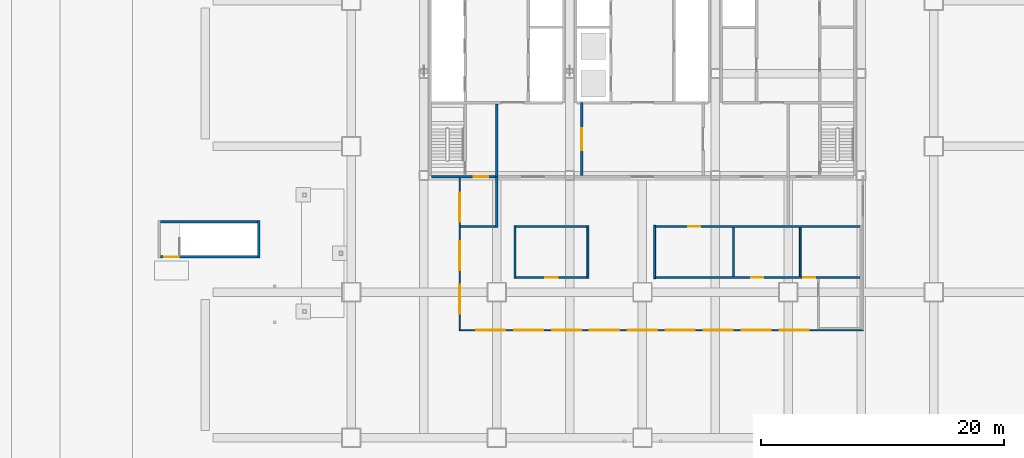
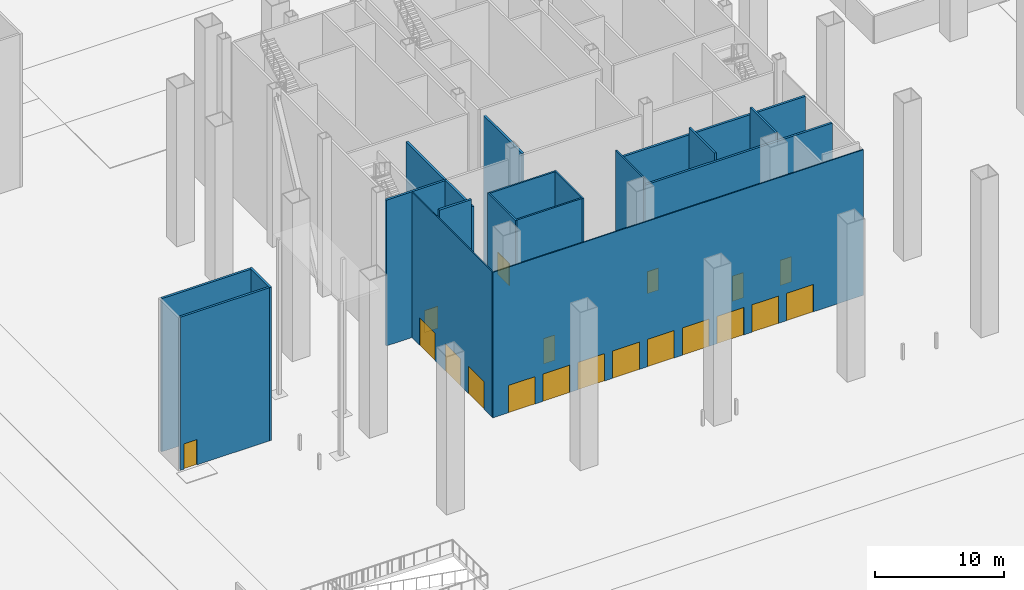
# One storey, part 6 of 22: 19 doors, 19 walls, 19 openings.
"""IFC4 building model written with IfcOpenShell, lengths in metres."""

from ifc_helpers import new_model, si_unit, direction, frame, frame_2d, origin, place, context, subcontext, project, spatial, rectangle, extrude, material, layer, layer_set, type_object, element, fill, save


model = new_model("IFC4")

# Units and contexts
model_context = context("Model", 3, precision=1e-05, world=origin(), true_north=direction((0.0, 1.0)))
body_context = subcontext(model_context, "Body", "Model", "MODEL_VIEW")
ifc_project = project(units=[si_unit("LENGTHUNIT", "METRE"), si_unit("AREAUNIT", "SQUARE_METRE"), si_unit("VOLUMEUNIT", "CUBIC_METRE"), si_unit("PLANEANGLEUNIT", "RADIAN"), si_unit("MASSUNIT", "GRAM", prefix="KILO")], contexts=[model_context])

# Site, building, storey
site_placement = place(None, origin())
site = spatial("IfcSite", under=ifc_project, at=site_placement, CompositionType="ELEMENT")
building_placement = place(site_placement, origin())
building = spatial("IfcBuilding", under=site, at=building_placement, Name="Sorahane Residences", CompositionType="ELEMENT")
storey_placement = place(building_placement, origin())
storey = spatial("IfcBuildingStorey", under=building, at=storey_placement, Name="L00", CompositionType="ELEMENT", Elevation=0.0)

# Walls
ifc_material_1 = material(Name="Concrete blockwork C20 wall", Category="masonry")
ifc_layer_1 = layer(ifc_material_1, 0.199951171875)
ifc_layer_set_1 = layer_set([ifc_layer_1], Name="Fire wall 200 EI 120")
wall_type_1 = type_object("IfcWallType", Name="Fire wall 200 EI 120", PredefinedType="SOLIDWALL", material=ifc_layer_set_1)
wall_1_placement = place(storey_placement, frame((-7.60009765625, 14.800048828125, 0.0), z_axis=(0.0, 0.0, 1.0), x_axis=(0.0, 1.0, 0.0)))
element("IfcWall", 1, at=wall_1_placement, inside=storey, type_object=wall_type_1, Name="L00 fire wall", PredefinedType="SOLIDWALL", context=body_context, shape_type="SweptSolid", body=[
    extrude(rectangle(XDim=3.099853515625, YDim=0.199951171875, at=frame_2d((1.5498046875, 0.0))), origin(), (0.0, 0.0, 1.0), 14.550048828125),
])
wall_2_placement = place(storey_placement, frame((12.0, 17.300048828125, 0.0), z_axis=(0.0, 0.0, 1.0), x_axis=(0.0, 1.0, 0.0)))
element("IfcWall", 2, at=wall_2_placement, inside=storey, type_object=wall_type_1, Name="L00 fire wall", PredefinedType="SOLIDWALL", context=body_context, shape_type="SweptSolid", body=[
    extrude(rectangle(XDim=4.199951171875, YDim=0.199951171875, at=frame_2d((2.10009765625, 0.0))), origin(), (0.0, 0.0, 1.0), 13.85009765625),
])

# Wall, openings, doors
wall_3_placement = place(storey_placement, frame((25.074951171875, 13.199951171875, 0.0), z_axis=(0.0, 0.0, 1.0), x_axis=(1.0, 0.0, 0.0)))
wall_3 = element("IfcWall", 3, at=wall_3_placement, inside=storey, type_object=wall_type_1, Name="L00 fire wall", PredefinedType="SOLIDWALL", context=body_context, shape_type="SweptSolid", body=[
    extrude(rectangle(XDim=16.824951171875, YDim=0.199951171875, at=frame_2d((8.41259765625, 0.0))), origin(), (0.0, 0.0, 1.0), 13.85009765625),
])
opening_1_placement = place(wall_3_placement, frame((12.175048828125, 0.0, 0.0)))
opening_1 = element("IfcOpeningElement", 4, at=opening_1_placement, cuts=wall_3, Name="Opening L00-04", PredefinedType="OPENING", context=body_context, shape_type="SweptSolid", body=[
    extrude(rectangle(XDim=1.0, YDim=2.39990234375, at=frame_2d((0.5, 1.199951171875))), frame((0.0, 0.10986328125, 0.0), z_axis=(0.0, -1.0, 0.0), x_axis=(1.0, 0.0, 0.0)), (0.0, 0.0, 1.0), 0.219970703125),
])
opening_2_placement = place(wall_3_placement, frame((7.875, 0.0, 0.0)))
opening_2 = element("IfcOpeningElement", 5, at=opening_2_placement, cuts=wall_3, Name="Opening L00-05", PredefinedType="OPENING", context=body_context, shape_type="SweptSolid", body=[
    extrude(rectangle(XDim=1.0, YDim=2.39990234375, at=frame_2d((0.5, 1.199951171875))), frame((0.0, 0.10986328125, 0.0), z_axis=(0.0, -1.0, 0.0), x_axis=(1.0, 0.0, 0.0)), (0.0, 0.0, 1.0), 0.219970703125),
])
ifc_material_2 = material(Name="Timber veneered fire door", Category="wood")
door_type_1 = type_object("IfcDoorType", Name="Room door 1000x2400 FD30", OperationType="NOTDEFINED", PredefinedType="DOOR", material=ifc_material_2)
door_1_placement = place(opening_1_placement, frame((1.0, 0.0, 0.0), z_axis=(0.0, 0.0, 1.0), x_axis=(-1.0, 0.0, 0.0)))
door_1 = element("IfcDoor", 6, at=door_1_placement, inside=storey, type_object=door_type_1, Name="Room door L00-04", OperationType="SINGLE_SWING_LEFT", OverallHeight=2.39990234375, OverallWidth=1.0, PredefinedType="DOOR", context=body_context, shape_type="SweptSolid", body=[
    extrude(rectangle(XDim=1.0, YDim=2.39990234375, at=frame_2d((0.5, 1.199951171875))), frame((0.0, 0.02490234375, 0.0), z_axis=(0.0, -1.0, 0.0), x_axis=(1.0, 0.0, 0.0)), (0.0, 0.0, 1.0), 0.050048828125),
])
fill(opening_1, door_1)
door_2_placement = place(opening_2_placement, origin())
door_2 = element("IfcDoor", 7, at=door_2_placement, inside=storey, type_object=door_type_1, Name="Room door L00-05", OperationType="SINGLE_SWING_LEFT", OverallHeight=2.39990234375, OverallWidth=1.0, PredefinedType="DOOR", context=body_context, shape_type="SweptSolid", body=[
    extrude(rectangle(XDim=1.0, YDim=2.39990234375, at=frame_2d((0.5, 1.199951171875))), frame((0.0, 0.02490234375, 0.0), z_axis=(0.0, -1.0, 0.0), x_axis=(1.0, 0.0, 0.0)), (0.0, 0.0, 1.0), 0.050048828125),
])
fill(opening_2, door_2)

# Wall, opening, door
wall_4_placement = place(storey_placement, frame((-15.699951171875, 14.89990234375, 0.0), z_axis=(0.0, 0.0, 1.0), x_axis=(1.0, 0.0, 0.0)))
wall_4 = element("IfcWall", 8, at=wall_4_placement, inside=storey, type_object=wall_type_1, Name="L00 fire wall", PredefinedType="SOLIDWALL", context=body_context, shape_type="SweptSolid", body=[
    extrude(rectangle(XDim=8.0, YDim=0.199951171875, at=frame_2d((4.0, 0.0))), origin(), (0.0, 0.0, 1.0), 14.550048828125),
])
opening_3_placement = place(wall_4_placement, frame((0.300048828125, 0.0, 0.0)))
opening_3 = element("IfcOpeningElement", 9, at=opening_3_placement, cuts=wall_4, Name="Opening L00-08", PredefinedType="OPENING", context=body_context, shape_type="SweptSolid", body=[
    extrude(rectangle(XDim=1.199951171875, YDim=2.39990234375, at=frame_2d((0.60009765625, 1.199951171875))), frame((0.0, 0.10986328125, 0.0), z_axis=(0.0, -1.0, 0.0), x_axis=(1.0, 0.0, 0.0)), (0.0, 0.0, 1.0), 0.219970703125),
])
ifc_material_3 = material(Name="Steel", Category="steel")
door_type_2 = type_object("IfcDoorType", Name="Stair door 1200x2400 FD60", OperationType="NOTDEFINED", PredefinedType="DOOR", material=ifc_material_3)
door_3_placement = place(opening_3_placement, frame((1.199951171875, 0.0, 0.0), z_axis=(0.0, 0.0, 1.0), x_axis=(-1.0, 0.0, 0.0)))
door_3 = element("IfcDoor", 10, at=door_3_placement, inside=storey, type_object=door_type_2, Name="Stair door L00-08", OperationType="SINGLE_SWING_LEFT", OverallHeight=2.39990234375, OverallWidth=1.199951171875, PredefinedType="DOOR", context=body_context, shape_type="SweptSolid", body=[
    extrude(rectangle(XDim=1.199951171875, YDim=2.39990234375, at=frame_2d((0.60009765625, 1.199951171875))), frame((0.0, 0.02490234375, 0.0), z_axis=(0.0, -1.0, 0.0), x_axis=(1.0, 0.0, 0.0)), (0.0, 0.0, 1.0), 0.050048828125),
])
fill(opening_3, door_3)

# Wall
wall_5_placement = place(storey_placement, frame((9.0, 17.39990234375, 0.0), z_axis=(0.0, 0.0, 1.0), x_axis=(1.0, 0.0, 0.0)))
element("IfcWall", 11, at=wall_5_placement, inside=storey, type_object=wall_type_1, Name="L00 fire wall", PredefinedType="SOLIDWALL", context=body_context, shape_type="SweptSolid", body=[
    extrude(rectangle(XDim=2.89990234375, YDim=0.199951171875, at=frame_2d((1.449951171875, 0.0))), origin(), (0.0, 0.0, 1.0), 14.550048828125),
])

# Wall, opening, door
wall_6_placement = place(storey_placement, frame((25.074951171875, 17.39990234375, 0.0), z_axis=(0.0, 0.0, 1.0), x_axis=(1.0, 0.0, 0.0)))
wall_6 = element("IfcWall", 12, at=wall_6_placement, inside=storey, type_object=wall_type_1, Name="L00 fire wall", PredefinedType="SOLIDWALL", context=body_context, shape_type="SweptSolid", body=[
    extrude(rectangle(XDim=16.824951171875, YDim=0.199951171875, at=frame_2d((8.41259765625, 0.0))), origin(), (0.0, 0.0, 1.0), 13.85009765625),
])
opening_4_placement = place(wall_6_placement, frame((2.675048828125, 0.0, 0.0)))
opening_4 = element("IfcOpeningElement", 13, at=opening_4_placement, cuts=wall_6, Name="Opening L00-03", PredefinedType="OPENING", context=body_context, shape_type="SweptSolid", body=[
    extrude(rectangle(XDim=1.0, YDim=2.10009765625, at=frame_2d((0.5, 1.050048828125))), frame((0.0, 0.10986328125, 0.0), z_axis=(0.0, -1.0, 0.0), x_axis=(1.0, 0.0, 0.0)), (0.0, 0.0, 1.0), 0.219970703125),
])
ifc_material_4 = material(Name="Timber veneered fire door", Category="wood")
door_type_3 = type_object("IfcDoorType", Name="Service door 1000x2100 FD30", OperationType="NOTDEFINED", PredefinedType="DOOR", material=ifc_material_4)
door_4_placement = place(opening_4_placement, frame((1.0, 0.0, 0.0), z_axis=(0.0, 0.0, 1.0), x_axis=(-1.0, 0.0, 0.0)))
door_4 = element("IfcDoor", 14, at=door_4_placement, inside=storey, type_object=door_type_3, Name="Service door L00-03", OperationType="SINGLE_SWING_RIGHT", OverallHeight=2.10009765625, OverallWidth=1.0, PredefinedType="DOOR", context=body_context, shape_type="SweptSolid", body=[
    extrude(rectangle(XDim=1.0, YDim=2.10009765625, at=frame_2d((0.5, 1.050048828125))), frame((0.0, 0.02490234375, 0.0), z_axis=(0.0, -1.0, 0.0), x_axis=(1.0, 0.0, 0.0)), (0.0, 0.0, 1.0), 0.050048828125),
])
fill(opening_4, door_4)

# Wall
wall_7_placement = place(storey_placement, frame((-15.699951171875, 17.800048828125, 0.0), z_axis=(0.0, 0.0, 1.0), x_axis=(1.0, 0.0, 0.0)))
element("IfcWall", 15, at=wall_7_placement, inside=storey, type_object=wall_type_1, Name="L00 fire wall", PredefinedType="SOLIDWALL", context=body_context, shape_type="SweptSolid", body=[
    extrude(rectangle(XDim=8.0, YDim=0.199951171875, at=frame_2d((4.0, 0.0))), origin(), (0.0, 0.0, 1.0), 14.550048828125),
])

# Wall, openings, doors
ifc_material_5 = material(Name="Toughened low-iron glass", Category="glass")
ifc_layer_2 = layer(ifc_material_5, 0.10009765625)
ifc_layer_set_2 = layer_set([ifc_layer_2], Name="Frameless glazed screen toughened low-iron glass 100")
wall_type_2 = type_object("IfcWallType", Name="Frameless glazed screen toughened low-iron glass 100", PredefinedType="SOLIDWALL", material=ifc_layer_set_2)
wall_8_placement = place(storey_placement, frame((8.949951171875, 21.60009765625, 0.0), z_axis=(0.0, 0.0, 1.0), x_axis=(0.0, -1.0, 0.0)))
wall_8 = element("IfcWall", 16, at=wall_8_placement, inside=storey, type_object=wall_type_2, Name="Frameless glazed screen L00.3", PredefinedType="SOLIDWALL", context=body_context, shape_type="SweptSolid", body=[
    extrude(rectangle(XDim=12.7001953125, YDim=0.10009765625, at=frame_2d((6.35009765625, 0.0))), origin(), (0.0, 0.0, 1.0), 13.830078125),
])
opening_5_placement = place(wall_8_placement, frame((9.0, 0.0, 0.0)))
opening_5 = element("IfcOpeningElement", 17, at=opening_5_placement, cuts=wall_8, Name="Opening L00-E2", PredefinedType="OPENING", context=body_context, shape_type="SweptSolid", body=[
    extrude(rectangle(XDim=2.39990234375, YDim=2.60009765625, at=frame_2d((1.199951171875, 1.300048828125))), frame((0.0, 0.06005859375, 0.0), z_axis=(0.0, -1.0, 0.0), x_axis=(1.0, 0.0, 0.0)), (0.0, 0.0, 1.0), 0.1201171875),
])
opening_6_placement = place(wall_8_placement, frame((5.39990234375, 0.0, 0.0)))
opening_6 = element("IfcOpeningElement", 18, at=opening_6_placement, cuts=wall_8, Name="Opening L00-E3", PredefinedType="OPENING", context=body_context, shape_type="SweptSolid", body=[
    extrude(rectangle(XDim=2.39990234375, YDim=2.60009765625, at=frame_2d((1.199951171875, 1.300048828125))), frame((0.0, 0.06005859375, 0.0), z_axis=(0.0, -1.0, 0.0), x_axis=(1.0, 0.0, 0.0)), (0.0, 0.0, 1.0), 0.1201171875),
])
opening_7_placement = place(wall_8_placement, frame((1.39990234375, 0.0, 0.0)))
opening_7 = element("IfcOpeningElement", 19, at=opening_7_placement, cuts=wall_8, Name="Opening L00-E4", PredefinedType="OPENING", context=body_context, shape_type="SweptSolid", body=[
    extrude(rectangle(XDim=2.39990234375, YDim=2.60009765625, at=frame_2d((1.199951171875, 1.300048828125))), frame((0.0, 0.06005859375, 0.0), z_axis=(0.0, -1.0, 0.0), x_axis=(1.0, 0.0, 0.0)), (0.0, 0.0, 1.0), 0.1201171875),
])
ifc_material_6 = material(Name="Toughened low-iron glass", Category="glass")
door_type_4 = type_object("IfcDoorType", Name="Entrance door frameless glass double 2400x2600", OperationType="DOUBLE_DOOR_SINGLE_SWING", PredefinedType="DOOR", material=ifc_material_6)
door_5_placement = place(opening_5_placement, frame((2.39990234375, 0.0, 0.0), z_axis=(0.0, 0.0, 1.0), x_axis=(-1.0, 0.0, 0.0)))
door_5 = element("IfcDoor", 20, at=door_5_placement, inside=storey, type_object=door_type_4, Name="Entrance door L00-E2", OperationType="DOUBLE_DOOR_SINGLE_SWING", OverallHeight=2.60009765625, OverallWidth=2.39990234375, PredefinedType="DOOR", context=body_context, shape_type="SweptSolid", body=[
    extrude(rectangle(XDim=2.39990234375, YDim=2.60009765625, at=frame_2d((1.199951171875, 1.300048828125))), frame((0.0, 0.02490234375, 0.0), z_axis=(0.0, -1.0, 0.0), x_axis=(1.0, 0.0, 0.0)), (0.0, 0.0, 1.0), 0.050048828125),
])
fill(opening_5, door_5)
door_6_placement = place(opening_6_placement, frame((2.39990234375, 0.0, 0.0), z_axis=(0.0, 0.0, 1.0), x_axis=(-1.0, 0.0, 0.0)))
door_6 = element("IfcDoor", 21, at=door_6_placement, inside=storey, type_object=door_type_4, Name="Entrance door L00-E3", OperationType="DOUBLE_DOOR_SINGLE_SWING", OverallHeight=2.60009765625, OverallWidth=2.39990234375, PredefinedType="DOOR", context=body_context, shape_type="SweptSolid", body=[
    extrude(rectangle(XDim=2.39990234375, YDim=2.60009765625, at=frame_2d((1.199951171875, 1.300048828125))), frame((0.0, 0.02490234375, 0.0), z_axis=(0.0, -1.0, 0.0), x_axis=(1.0, 0.0, 0.0)), (0.0, 0.0, 1.0), 0.050048828125),
])
fill(opening_6, door_6)
door_7_placement = place(opening_7_placement, frame((2.39990234375, 0.0, 0.0), z_axis=(0.0, 0.0, 1.0), x_axis=(-1.0, 0.0, 0.0)))
door_7 = element("IfcDoor", 22, at=door_7_placement, inside=storey, type_object=door_type_4, Name="Entrance door L00-E4", OperationType="DOUBLE_DOOR_SINGLE_SWING", OverallHeight=2.60009765625, OverallWidth=2.39990234375, PredefinedType="DOOR", context=body_context, shape_type="SweptSolid", body=[
    extrude(rectangle(XDim=2.39990234375, YDim=2.60009765625, at=frame_2d((1.199951171875, 1.300048828125))), frame((0.0, 0.02490234375, 0.0), z_axis=(0.0, -1.0, 0.0), x_axis=(1.0, 0.0, 0.0)), (0.0, 0.0, 1.0), 0.050048828125),
])
fill(opening_7, door_7)

wall_9_placement = place(storey_placement, frame((8.89990234375, 8.85009765625, 0.0), z_axis=(0.0, 0.0, 1.0), x_axis=(1.0, 0.0, 0.0)))
wall_9 = element("IfcWall", 23, at=wall_9_placement, inside=storey, type_object=wall_type_2, Name="Frameless glazed screen L00.4", PredefinedType="SOLIDWALL", context=body_context, shape_type="SweptSolid", body=[
    extrude(rectangle(XDim=33.300048828125, YDim=0.10009765625, at=frame_2d((16.64990234375, 0.0))), origin(), (0.0, 0.0, 1.0), 13.830078125),
])
opening_8_placement = place(wall_9_placement, frame((1.39990234375, 0.0, 0.0)))
opening_8 = element("IfcOpeningElement", 24, at=opening_8_placement, cuts=wall_9, Name="Opening L00-E5", PredefinedType="OPENING", context=body_context, shape_type="SweptSolid", body=[
    extrude(rectangle(XDim=2.39990234375, YDim=2.60009765625, at=frame_2d((1.199951171875, 1.300048828125))), frame((0.0, 0.06005859375, 0.0), z_axis=(0.0, -1.0, 0.0), x_axis=(1.0, 0.0, 0.0)), (0.0, 0.0, 1.0), 0.1201171875),
])
opening_9_placement = place(wall_9_placement, frame((4.52490234375, 0.0, 0.0)))
opening_9 = element("IfcOpeningElement", 25, at=opening_9_placement, cuts=wall_9, Name="Opening L00-E6", PredefinedType="OPENING", context=body_context, shape_type="SweptSolid", body=[
    extrude(rectangle(XDim=2.39990234375, YDim=2.60009765625, at=frame_2d((1.199951171875, 1.300048828125))), frame((0.0, 0.06005859375, 0.0), z_axis=(0.0, -1.0, 0.0), x_axis=(1.0, 0.0, 0.0)), (0.0, 0.0, 1.0), 0.1201171875),
])
opening_10_placement = place(wall_9_placement, frame((7.64990234375, 0.0, 0.0)))
opening_10 = element("IfcOpeningElement", 26, at=opening_10_placement, cuts=wall_9, Name="Opening L00-E7", PredefinedType="OPENING", context=body_context, shape_type="SweptSolid", body=[
    extrude(rectangle(XDim=2.39990234375, YDim=2.60009765625, at=frame_2d((1.199951171875, 1.300048828125))), frame((0.0, 0.06005859375, 0.0), z_axis=(0.0, -1.0, 0.0), x_axis=(1.0, 0.0, 0.0)), (0.0, 0.0, 1.0), 0.1201171875),
])
opening_11_placement = place(wall_9_placement, frame((10.77490234375, 0.0, 0.0)))
opening_11 = element("IfcOpeningElement", 27, at=opening_11_placement, cuts=wall_9, Name="Opening L00-E8", PredefinedType="OPENING", context=body_context, shape_type="SweptSolid", body=[
    extrude(rectangle(XDim=2.39990234375, YDim=2.60009765625, at=frame_2d((1.199951171875, 1.300048828125))), frame((0.0, 0.06005859375, 0.0), z_axis=(0.0, -1.0, 0.0), x_axis=(1.0, 0.0, 0.0)), (0.0, 0.0, 1.0), 0.1201171875),
])
opening_12_placement = place(wall_9_placement, frame((13.89990234375, 0.0, 0.0)))
opening_12 = element("IfcOpeningElement", 28, at=opening_12_placement, cuts=wall_9, Name="Opening L00-E9", PredefinedType="OPENING", context=body_context, shape_type="SweptSolid", body=[
    extrude(rectangle(XDim=2.39990234375, YDim=2.60009765625, at=frame_2d((1.199951171875, 1.300048828125))), frame((0.0, 0.06005859375, 0.0), z_axis=(0.0, -1.0, 0.0), x_axis=(1.0, 0.0, 0.0)), (0.0, 0.0, 1.0), 0.1201171875),
])
opening_13_placement = place(wall_9_placement, frame((17.02490234375, 0.0, 0.0)))
opening_13 = element("IfcOpeningElement", 29, at=opening_13_placement, cuts=wall_9, Name="Opening L00-E10", PredefinedType="OPENING", context=body_context, shape_type="SweptSolid", body=[
    extrude(rectangle(XDim=2.39990234375, YDim=2.60009765625, at=frame_2d((1.199951171875, 1.300048828125))), frame((0.0, 0.06005859375, 0.0), z_axis=(0.0, -1.0, 0.0), x_axis=(1.0, 0.0, 0.0)), (0.0, 0.0, 1.0), 0.1201171875),
])
opening_14_placement = place(wall_9_placement, frame((20.14990234375, 0.0, 0.0)))
opening_14 = element("IfcOpeningElement", 30, at=opening_14_placement, cuts=wall_9, Name="Opening L00-E11", PredefinedType="OPENING", context=body_context, shape_type="SweptSolid", body=[
    extrude(rectangle(XDim=2.39990234375, YDim=2.60009765625, at=frame_2d((1.199951171875, 1.300048828125))), frame((0.0, 0.06005859375, 0.0), z_axis=(0.0, -1.0, 0.0), x_axis=(1.0, 0.0, 0.0)), (0.0, 0.0, 1.0), 0.1201171875),
])
opening_15_placement = place(wall_9_placement, frame((23.27490234375, 0.0, 0.0)))
opening_15 = element("IfcOpeningElement", 31, at=opening_15_placement, cuts=wall_9, Name="Opening L00-E12", PredefinedType="OPENING", context=body_context, shape_type="SweptSolid", body=[
    extrude(rectangle(XDim=2.39990234375, YDim=2.60009765625, at=frame_2d((1.199951171875, 1.300048828125))), frame((0.0, 0.06005859375, 0.0), z_axis=(0.0, -1.0, 0.0), x_axis=(1.0, 0.0, 0.0)), (0.0, 0.0, 1.0), 0.1201171875),
])
opening_16_placement = place(wall_9_placement, frame((26.39990234375, 0.0, 0.0)))
opening_16 = element("IfcOpeningElement", 32, at=opening_16_placement, cuts=wall_9, Name="Opening L00-E13", PredefinedType="OPENING", context=body_context, shape_type="SweptSolid", body=[
    extrude(rectangle(XDim=2.39990234375, YDim=2.60009765625, at=frame_2d((1.199951171875, 1.300048828125))), frame((0.0, 0.06005859375, 0.0), z_axis=(0.0, -1.0, 0.0), x_axis=(1.0, 0.0, 0.0)), (0.0, 0.0, 1.0), 0.1201171875),
])
door_8_placement = place(opening_8_placement, frame((2.39990234375, 0.0, 0.0), z_axis=(0.0, 0.0, 1.0), x_axis=(-1.0, 0.0, 0.0)))
door_8 = element("IfcDoor", 33, at=door_8_placement, inside=storey, type_object=door_type_4, Name="Entrance door L00-E5", OperationType="DOUBLE_DOOR_SINGLE_SWING", OverallHeight=2.60009765625, OverallWidth=2.39990234375, PredefinedType="DOOR", context=body_context, shape_type="SweptSolid", body=[
    extrude(rectangle(XDim=2.39990234375, YDim=2.60009765625, at=frame_2d((1.199951171875, 1.300048828125))), frame((0.0, 0.02490234375, 0.0), z_axis=(0.0, -1.0, 0.0), x_axis=(1.0, 0.0, 0.0)), (0.0, 0.0, 1.0), 0.050048828125),
])
fill(opening_8, door_8)
door_9_placement = place(opening_9_placement, frame((2.39990234375, 0.0, 0.0), z_axis=(0.0, 0.0, 1.0), x_axis=(-1.0, 0.0, 0.0)))
door_9 = element("IfcDoor", 34, at=door_9_placement, inside=storey, type_object=door_type_4, Name="Entrance door L00-E6", OperationType="DOUBLE_DOOR_SINGLE_SWING", OverallHeight=2.60009765625, OverallWidth=2.39990234375, PredefinedType="DOOR", context=body_context, shape_type="SweptSolid", body=[
    extrude(rectangle(XDim=2.39990234375, YDim=2.60009765625, at=frame_2d((1.199951171875, 1.300048828125))), frame((0.0, 0.02490234375, 0.0), z_axis=(0.0, -1.0, 0.0), x_axis=(1.0, 0.0, 0.0)), (0.0, 0.0, 1.0), 0.050048828125),
])
fill(opening_9, door_9)
door_10_placement = place(opening_10_placement, frame((2.39990234375, 0.0, 0.0), z_axis=(0.0, 0.0, 1.0), x_axis=(-1.0, 0.0, 0.0)))
door_10 = element("IfcDoor", 35, at=door_10_placement, inside=storey, type_object=door_type_4, Name="Entrance door L00-E7", OperationType="DOUBLE_DOOR_SINGLE_SWING", OverallHeight=2.60009765625, OverallWidth=2.39990234375, PredefinedType="DOOR", context=body_context, shape_type="SweptSolid", body=[
    extrude(rectangle(XDim=2.39990234375, YDim=2.60009765625, at=frame_2d((1.199951171875, 1.300048828125))), frame((0.0, 0.02490234375, 0.0), z_axis=(0.0, -1.0, 0.0), x_axis=(1.0, 0.0, 0.0)), (0.0, 0.0, 1.0), 0.050048828125),
])
fill(opening_10, door_10)
door_11_placement = place(opening_11_placement, frame((2.39990234375, 0.0, 0.0), z_axis=(0.0, 0.0, 1.0), x_axis=(-1.0, 0.0, 0.0)))
door_11 = element("IfcDoor", 36, at=door_11_placement, inside=storey, type_object=door_type_4, Name="Entrance door L00-E8", OperationType="DOUBLE_DOOR_SINGLE_SWING", OverallHeight=2.60009765625, OverallWidth=2.39990234375, PredefinedType="DOOR", context=body_context, shape_type="SweptSolid", body=[
    extrude(rectangle(XDim=2.39990234375, YDim=2.60009765625, at=frame_2d((1.199951171875, 1.300048828125))), frame((0.0, 0.02490234375, 0.0), z_axis=(0.0, -1.0, 0.0), x_axis=(1.0, 0.0, 0.0)), (0.0, 0.0, 1.0), 0.050048828125),
])
fill(opening_11, door_11)
door_12_placement = place(opening_12_placement, frame((2.39990234375, 0.0, 0.0), z_axis=(0.0, 0.0, 1.0), x_axis=(-1.0, 0.0, 0.0)))
door_12 = element("IfcDoor", 37, at=door_12_placement, inside=storey, type_object=door_type_4, Name="Entrance door L00-E9", OperationType="DOUBLE_DOOR_SINGLE_SWING", OverallHeight=2.60009765625, OverallWidth=2.39990234375, PredefinedType="DOOR", context=body_context, shape_type="SweptSolid", body=[
    extrude(rectangle(XDim=2.39990234375, YDim=2.60009765625, at=frame_2d((1.199951171875, 1.300048828125))), frame((0.0, 0.02490234375, 0.0), z_axis=(0.0, -1.0, 0.0), x_axis=(1.0, 0.0, 0.0)), (0.0, 0.0, 1.0), 0.050048828125),
])
fill(opening_12, door_12)
door_13_placement = place(opening_13_placement, frame((2.39990234375, 0.0, 0.0), z_axis=(0.0, 0.0, 1.0), x_axis=(-1.0, 0.0, 0.0)))
door_13 = element("IfcDoor", 38, at=door_13_placement, inside=storey, type_object=door_type_4, Name="Entrance door L00-E10", OperationType="DOUBLE_DOOR_SINGLE_SWING", OverallHeight=2.60009765625, OverallWidth=2.39990234375, PredefinedType="DOOR", context=body_context, shape_type="SweptSolid", body=[
    extrude(rectangle(XDim=2.39990234375, YDim=2.60009765625, at=frame_2d((1.199951171875, 1.300048828125))), frame((0.0, 0.02490234375, 0.0), z_axis=(0.0, -1.0, 0.0), x_axis=(1.0, 0.0, 0.0)), (0.0, 0.0, 1.0), 0.050048828125),
])
fill(opening_13, door_13)
door_14_placement = place(opening_14_placement, frame((2.39990234375, 0.0, 0.0), z_axis=(0.0, 0.0, 1.0), x_axis=(-1.0, 0.0, 0.0)))
door_14 = element("IfcDoor", 39, at=door_14_placement, inside=storey, type_object=door_type_4, Name="Entrance door L00-E11", OperationType="DOUBLE_DOOR_SINGLE_SWING", OverallHeight=2.60009765625, OverallWidth=2.39990234375, PredefinedType="DOOR", context=body_context, shape_type="SweptSolid", body=[
    extrude(rectangle(XDim=2.39990234375, YDim=2.60009765625, at=frame_2d((1.199951171875, 1.300048828125))), frame((0.0, 0.02490234375, 0.0), z_axis=(0.0, -1.0, 0.0), x_axis=(1.0, 0.0, 0.0)), (0.0, 0.0, 1.0), 0.050048828125),
])
fill(opening_14, door_14)
door_15_placement = place(opening_15_placement, frame((2.39990234375, 0.0, 0.0), z_axis=(0.0, 0.0, 1.0), x_axis=(-1.0, 0.0, 0.0)))
door_15 = element("IfcDoor", 40, at=door_15_placement, inside=storey, type_object=door_type_4, Name="Entrance door L00-E12", OperationType="DOUBLE_DOOR_SINGLE_SWING", OverallHeight=2.60009765625, OverallWidth=2.39990234375, PredefinedType="DOOR", context=body_context, shape_type="SweptSolid", body=[
    extrude(rectangle(XDim=2.39990234375, YDim=2.60009765625, at=frame_2d((1.199951171875, 1.300048828125))), frame((0.0, 0.02490234375, 0.0), z_axis=(0.0, -1.0, 0.0), x_axis=(1.0, 0.0, 0.0)), (0.0, 0.0, 1.0), 0.050048828125),
])
fill(opening_15, door_15)
door_16_placement = place(opening_16_placement, frame((2.39990234375, 0.0, 0.0), z_axis=(0.0, 0.0, 1.0), x_axis=(-1.0, 0.0, 0.0)))
door_16 = element("IfcDoor", 41, at=door_16_placement, inside=storey, type_object=door_type_4, Name="Entrance door L00-E13", OperationType="DOUBLE_DOOR_SINGLE_SWING", OverallHeight=2.60009765625, OverallWidth=2.39990234375, PredefinedType="DOOR", context=body_context, shape_type="SweptSolid", body=[
    extrude(rectangle(XDim=2.39990234375, YDim=2.60009765625, at=frame_2d((1.199951171875, 1.300048828125))), frame((0.0, 0.02490234375, 0.0), z_axis=(0.0, -1.0, 0.0), x_axis=(1.0, 0.0, 0.0)), (0.0, 0.0, 1.0), 0.050048828125),
])
fill(opening_16, door_16)

# Walls
ifc_material_7 = material(Name="Concrete C30", Category="concrete")
ifc_layer_3 = layer(ifc_material_7, 0.199951171875)
ifc_layer_set_3 = layer_set([ifc_layer_3], Name="Front room wall 200 EI 120")
wall_type_3 = type_object("IfcWallType", Name="Front room wall 200 EI 120", PredefinedType="PARTITIONING", material=ifc_layer_set_3)
wall_10_placement = place(storey_placement, frame((12.0, 21.5, 0.0), z_axis=(0.0, 0.0, 1.0), x_axis=(0.0, 1.0, 0.0)))
element("IfcWall", 42, at=wall_10_placement, inside=storey, type_object=wall_type_3, Name="L00 front room wall", PredefinedType="PARTITIONING", context=body_context, shape_type="SweptSolid", body=[
    extrude(rectangle(XDim=6.0, YDim=0.199951171875, at=frame_2d((3.0, 0.0))), origin(), (0.0, 0.0, 1.0), 13.85009765625),
])
ifc_material_8 = material(Name="Gypsum board partition on steel studs", Category="steel")
ifc_layer_4 = layer(ifc_material_8, 0.14990234375)
ifc_layer_set_4 = layer_set([ifc_layer_4], Name="Partition 150 EI 90")
wall_type_4 = type_object("IfcWallType", Name="Partition 150 EI 90", PredefinedType="PARTITIONING", material=ifc_layer_set_4)
for number, where, z_axis, x_axis, name in (
    (43, (13.5, 13.125, 0.0), (0.0, 0.0, 1.0), (0.0, 1.0, 0.0), "L00 partition"),
    (44, (19.5, 13.125, 0.0), (0.0, 0.0, 1.0), (0.0, 1.0, 0.0), "L00 partition"),
):
    element("IfcWall", number, at=place(storey_placement, frame(where, z_axis=z_axis, x_axis=x_axis)), inside=storey, type_object=wall_type_4, Name=name, PredefinedType="PARTITIONING", context=body_context, shape_type="SweptSolid", body=[
        extrude(rectangle(XDim=4.35009765625, YDim=0.14990234375, at=frame_2d((2.175048828125, 0.0))), origin(), (0.0, 0.0, 1.0), 14.550048828125),
    ])
wall_11_placement = place(storey_placement, frame((25.0, 13.10009765625, 0.0), z_axis=(0.0, 0.0, 1.0), x_axis=(0.0, 1.0, 0.0)))
element("IfcWall", 45, at=wall_11_placement, inside=storey, type_object=wall_type_4, Name="L00 partition", PredefinedType="PARTITIONING", context=body_context, shape_type="SweptSolid", body=[
    extrude(rectangle(XDim=4.39990234375, YDim=0.14990234375, at=frame_2d((2.199951171875, 0.0))), origin(), (0.0, 0.0, 1.0), 14.550048828125),
])
wall_12_placement = place(storey_placement, frame((31.5, 13.300048828125, 0.0), z_axis=(0.0, 0.0, 1.0), x_axis=(0.0, 1.0, 0.0)))
element("IfcWall", 46, at=wall_12_placement, inside=storey, type_object=wall_type_4, Name="L00 partition", PredefinedType="PARTITIONING", context=body_context, shape_type="SweptSolid", body=[
    extrude(rectangle(XDim=4.0, YDim=0.14990234375, at=frame_2d((2.0, 0.0))), origin(), (0.0, 0.0, 1.0), 14.550048828125),
])

# Wall, opening, door
wall_13_placement = place(storey_placement, frame((13.574951171875, 13.199951171875, 0.0), z_axis=(0.0, 0.0, 1.0), x_axis=(1.0, 0.0, 0.0)))
wall_13 = element("IfcWall", 47, at=wall_13_placement, inside=storey, type_object=wall_type_4, Name="L00 partition", PredefinedType="PARTITIONING", context=body_context, shape_type="SweptSolid", body=[
    extrude(rectangle(XDim=5.85009765625, YDim=0.14990234375, at=frame_2d((2.925048828125, 0.0))), origin(), (0.0, 0.0, 1.0), 14.550048828125),
])
opening_17_placement = place(wall_13_placement, frame((2.425048828125, 0.0, 0.0)))
opening_17 = element("IfcOpeningElement", 48, at=opening_17_placement, cuts=wall_13, Name="Opening L00-02", PredefinedType="OPENING", context=body_context, shape_type="SweptSolid", body=[
    extrude(rectangle(XDim=1.0, YDim=2.39990234375, at=frame_2d((0.5, 1.199951171875))), frame((0.0, 0.0849609375, 0.0), z_axis=(0.0, -1.0, 0.0), x_axis=(1.0, 0.0, 0.0)), (0.0, 0.0, 1.0), 0.169921875),
])
door_17_placement = place(opening_17_placement, origin())
door_17 = element("IfcDoor", 49, at=door_17_placement, inside=storey, type_object=door_type_1, Name="Room door L00-02", OperationType="SINGLE_SWING_RIGHT", OverallHeight=2.39990234375, OverallWidth=1.0, PredefinedType="DOOR", context=body_context, shape_type="SweptSolid", body=[
    extrude(rectangle(XDim=1.0, YDim=2.39990234375, at=frame_2d((0.5, 1.199951171875))), frame((0.0, 0.02490234375, 0.0), z_axis=(0.0, -1.0, 0.0), x_axis=(1.0, 0.0, 0.0)), (0.0, 0.0, 1.0), 0.050048828125),
])
fill(opening_17, door_17)

# Wall
wall_14_placement = place(storey_placement, frame((13.574951171875, 17.39990234375, 0.0), z_axis=(0.0, 0.0, 1.0), x_axis=(1.0, 0.0, 0.0)))
element("IfcWall", 50, at=wall_14_placement, inside=storey, type_object=wall_type_4, Name="L00 partition", PredefinedType="PARTITIONING", context=body_context, shape_type="SweptSolid", body=[
    extrude(rectangle(XDim=5.85009765625, YDim=0.14990234375, at=frame_2d((2.925048828125, 0.0))), origin(), (0.0, 0.0, 1.0), 14.550048828125),
])

# Wall, opening, door
ifc_material_9 = material(Name="Concrete C30", Category="concrete")
ifc_layer_5 = layer(ifc_material_9, 0.199951171875)
ifc_layer_set_5 = layer_set([ifc_layer_5], Name="Service room partition 200 EI 60")
wall_type_5 = type_object("IfcWallType", Name="Service room partition 200 EI 60", PredefinedType="PARTITIONING", material=ifc_layer_set_5)
wall_15_placement = place(storey_placement, frame((19.0, 21.60009765625, 0.0), z_axis=(0.0, 0.0, 1.0), x_axis=(0.0, 1.0, 0.0)))
wall_15 = element("IfcWall", 51, at=wall_15_placement, inside=storey, type_object=wall_type_5, Name="L00 service room wall", PredefinedType="PARTITIONING", context=body_context, shape_type="SweptSolid", body=[
    extrude(rectangle(XDim=6.0, YDim=0.199951171875, at=frame_2d((3.0, 0.0))), origin(), (0.0, 0.0, 1.0), 13.85009765625),
])
opening_18_placement = place(wall_15_placement, frame((2.10009765625, 0.0, 0.0)))
opening_18 = element("IfcOpeningElement", 52, at=opening_18_placement, cuts=wall_15, Name="Opening L00-C02", PredefinedType="OPENING", context=body_context, shape_type="SweptSolid", body=[
    extrude(rectangle(XDim=1.800048828125, YDim=2.10009765625, at=frame_2d((0.89990234375, 1.050048828125))), frame((0.0, 0.10986328125, 0.0), z_axis=(0.0, -1.0, 0.0), x_axis=(1.0, 0.0, 0.0)), (0.0, 0.0, 1.0), 0.219970703125),
])
ifc_material_10 = material(Name="Steel", Category="steel")
door_type_5 = type_object("IfcDoorType", Name="Waiting hall door 1800x2100 FD60", OperationType="NOTDEFINED", PredefinedType="DOOR", material=ifc_material_10)
door_18_placement = place(opening_18_placement, origin())
door_18 = element("IfcDoor", 53, at=door_18_placement, inside=storey, type_object=door_type_5, Name="Waiting hall door Residents' waiting hall west L00", OperationType="SINGLE_SWING_LEFT", OverallHeight=2.10009765625, OverallWidth=1.800048828125, PredefinedType="DOOR", context=body_context, shape_type="SweptSolid", body=[
    extrude(rectangle(XDim=1.800048828125, YDim=2.10009765625, at=frame_2d((0.89990234375, 1.050048828125))), frame((0.0, 0.02490234375, 0.0), z_axis=(0.0, -1.0, 0.0), x_axis=(1.0, 0.0, 0.0)), (0.0, 0.0, 1.0), 0.050048828125),
])
fill(opening_18, door_18)

ifc_material_11 = material(Name="Concrete C30", Category="concrete")
ifc_layer_6 = layer(ifc_material_11, 0.199951171875)
ifc_layer_set_6 = layer_set([ifc_layer_6], Name="Stair enclosure wall 200 EI 120")
wall_type_6 = type_object("IfcWallType", Name="Stair enclosure wall 200 EI 120", PredefinedType="SOLIDWALL", material=ifc_layer_set_6)
wall_16_placement = place(storey_placement, frame((6.60009765625, 21.5, 0.0), z_axis=(0.0, 0.0, 1.0), x_axis=(1.0, 0.0, 0.0)))
wall_16 = element("IfcWall", 54, at=wall_16_placement, inside=storey, type_object=wall_type_6, Name="L00 stair enclosure wall", PredefinedType="SOLIDWALL", context=body_context, shape_type="SweptSolid", body=[
    extrude(rectangle(XDim=5.2998046875, YDim=0.199951171875, at=frame_2d((2.64990234375, 0.0))), origin(), (0.0, 0.0, 1.0), 13.85009765625),
])
opening_19_placement = place(wall_16_placement, frame((3.5, 0.0, 0.0)))
opening_19 = element("IfcOpeningElement", 55, at=opening_19_placement, cuts=wall_16, Name="Opening L00-C06", PredefinedType="OPENING", context=body_context, shape_type="SweptSolid", body=[
    extrude(rectangle(XDim=1.199951171875, YDim=2.10009765625, at=frame_2d((0.60009765625, 1.050048828125))), frame((0.0, 0.10986328125, 0.0), z_axis=(0.0, -1.0, 0.0), x_axis=(1.0, 0.0, 0.0)), (0.0, 0.0, 1.0), 0.219970703125),
])
ifc_material_12 = material(Name="Steel", Category="steel")
door_type_6 = type_object("IfcDoorType", Name="Stair front room door 1200x2100 FD120", OperationType="NOTDEFINED", PredefinedType="DOOR", material=ifc_material_12)
door_19_placement = place(opening_19_placement, frame((1.199951171875, 0.0, 0.0), z_axis=(0.0, 0.0, 1.0), x_axis=(-1.0, 0.0, 0.0)))
door_19 = element("IfcDoor", 56, at=door_19_placement, inside=storey, type_object=door_type_6, Name="Stair front room door Stair S4 front room L00", OperationType="SINGLE_SWING_RIGHT", OverallHeight=2.10009765625, OverallWidth=1.199951171875, PredefinedType="DOOR", context=body_context, shape_type="SweptSolid", body=[
    extrude(rectangle(XDim=1.199951171875, YDim=2.10009765625, at=frame_2d((0.60009765625, 1.050048828125))), frame((0.0, 0.02490234375, 0.0), z_axis=(0.0, -1.0, 0.0), x_axis=(1.0, 0.0, 0.0)), (0.0, 0.0, 1.0), 0.050048828125),
])
fill(opening_19, door_19)

# Wall
ifc_material_13 = material(Name="Gypsum board partition on steel studs", Category="steel")
ifc_layer_7 = layer(ifc_material_13, 0.14990234375)
ifc_layer_set_7 = layer_set([ifc_layer_7], Name="Wet wall 150 EI 90")
wall_type_7 = type_object("IfcWallType", Name="Wet wall 150 EI 90", PredefinedType="PARTITIONING", material=ifc_layer_set_7)
wall_17_placement = place(storey_placement, frame((37.0, 13.300048828125, 0.0), z_axis=(0.0, 0.0, 1.0), x_axis=(0.0, 1.0, 0.0)))
element("IfcWall", 57, at=wall_17_placement, inside=storey, type_object=wall_type_7, Name="L00 wet wall", PredefinedType="PARTITIONING", context=body_context, shape_type="SweptSolid", body=[
    extrude(rectangle(XDim=4.0, YDim=0.14990234375, at=frame_2d((2.0, 0.0))), origin(), (0.0, 0.0, 1.0), 14.550048828125),
])

save(model, "model.ifc")
